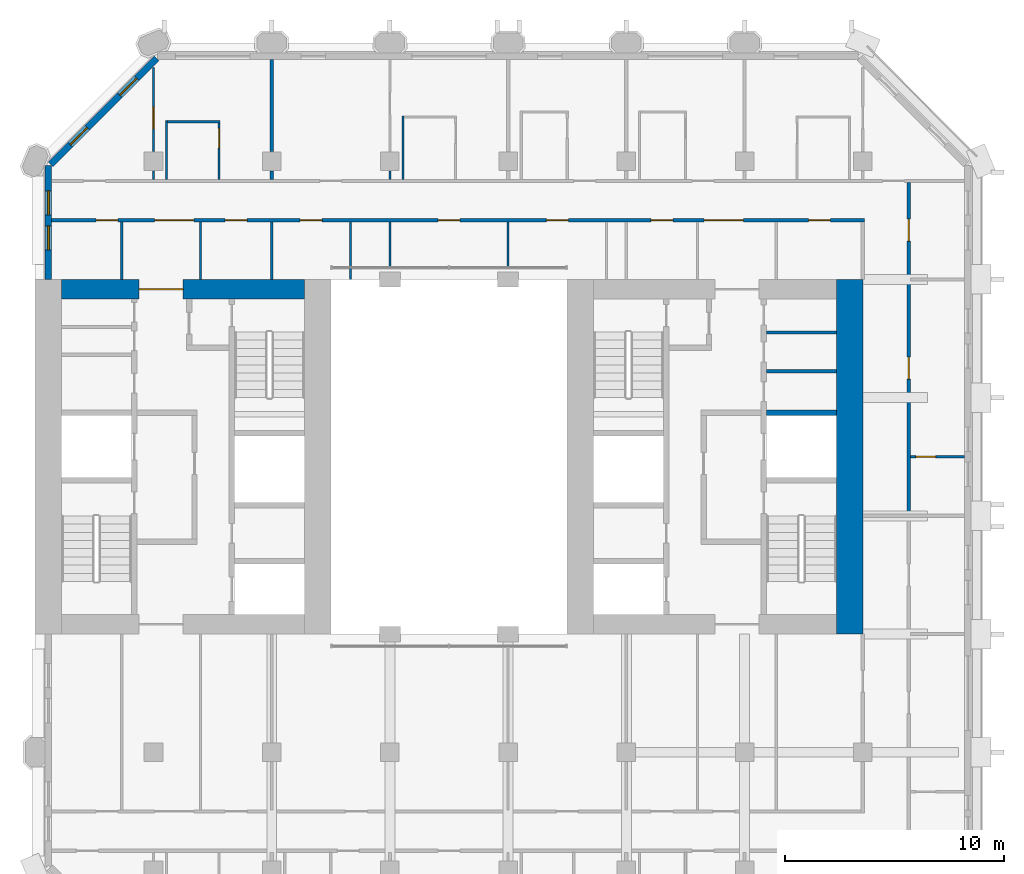
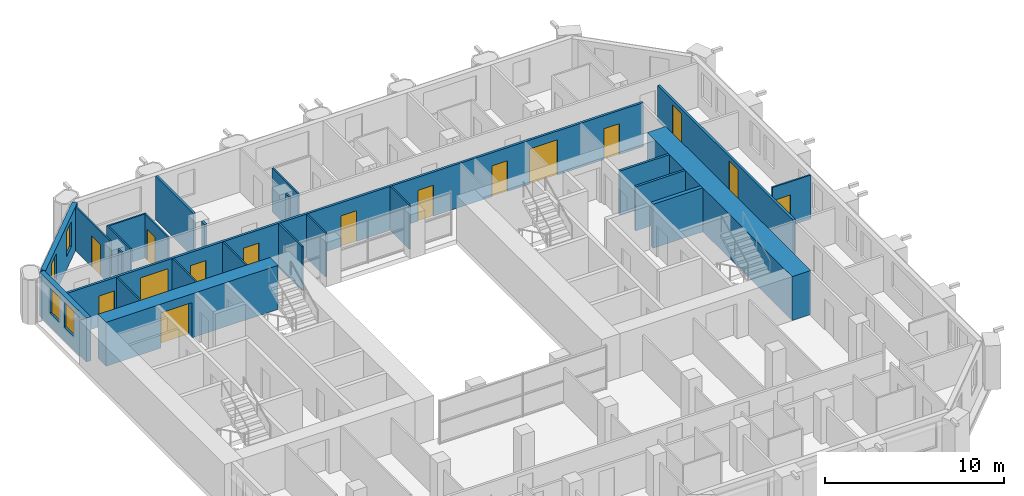
# One storey, part 9 of 13: 25 walls, 15 doors, 4 windows, 19 openings.
"""IFC4 building model written with IfcOpenShell, lengths in metres."""

from ifc_helpers import new_model, si_unit, direction, frame, frame_2d, origin, place, context, subcontext, project, spatial, rectangle, extrude, material, layer, layer_set, type_object, element, fill, save


model = new_model("IFC4")

# Units and contexts
model_context = context("Model", 3, precision=1e-05, world=origin(), true_north=direction((0.0, 1.0)))
body_context = subcontext(model_context, "Body", "Model", "MODEL_VIEW")
ifc_project = project(units=[si_unit("LENGTHUNIT", "METRE"), si_unit("AREAUNIT", "SQUARE_METRE"), si_unit("VOLUMEUNIT", "CUBIC_METRE"), si_unit("PLANEANGLEUNIT", "RADIAN"), si_unit("MASSUNIT", "GRAM", prefix="KILO")], contexts=[model_context])

# Site, building, storey
site_placement = place(None, origin())
site = spatial("IfcSite", under=ifc_project, at=site_placement, CompositionType="ELEMENT")
building_placement = place(site_placement, origin())
building = spatial("IfcBuilding", under=site, at=building_placement, Name="Tabaq Tower and Sports Hall", CompositionType="ELEMENT")
storey_placement = place(building_placement, frame((0.0, 0.0, 162.699951171875)))
storey = spatial("IfcBuildingStorey", under=building, at=storey_placement, Name="L38", CompositionType="ELEMENT", Elevation=162.699951171875)

# Walls
ifc_material_1 = material(Name="Blockwork", Category="masonry")
ifc_layer_1 = layer(ifc_material_1, 0.14990234375)
ifc_layer_set_1 = layer_set([ifc_layer_1], Name="Core room partition 150 Blockwork")
wall_type_1 = type_object("IfcWallType", Name="Core room partition 150 Blockwork", PredefinedType="PARTITIONING", material=ifc_layer_set_1)
for number, where, z_axis, x_axis, name in (
    (1, (38.800048828125, 28.200927734375, 0.0), (0.0, 0.0, 1.0), (1.0, 0.0, 0.0), "Core room partition E L38"),
    (2, (38.800048828125, 29.97705078125, 0.0), (0.0, 0.0, 1.0), (1.0, 0.0, 0.0), "Core room partition E L38"),
):
    element("IfcWall", number, at=place(storey_placement, frame(where, z_axis=z_axis, x_axis=x_axis)), inside=storey, type_object=wall_type_1, Name=name, PredefinedType="PARTITIONING", context=body_context, shape_type="SweptSolid", body=[
        extrude(rectangle(XDim=3.199951171875, YDim=0.14990234375, at=frame_2d((1.60009765625, 0.0))), origin(), (0.0, 0.0, 1.0), 3.0),
    ])
ifc_material_2 = material(Name="Concrete C50/60", Category="concrete")
ifc_layer_2 = layer(ifc_material_2, 1.199951171875)
ifc_layer_set_2 = layer_set([ifc_layer_2], Name="Core wall 1200 Concrete C50/60")
wall_type_2 = type_object("IfcWallType", Name="Core wall 1200 Concrete C50/60", PredefinedType="SOLIDWALL", material=ifc_layer_set_2)
wall_1_placement = place(storey_placement, frame((42.60009765625, 32.39990234375, 0.0), z_axis=(0.0, 0.0, 1.0), x_axis=(0.0, -1.0, 0.0)))
element("IfcWall", 3, at=wall_1_placement, inside=storey, type_object=wall_type_2, Name="Core wall E L38", PredefinedType="SOLIDWALL", context=body_context, shape_type="SweptSolid", body=[
    extrude(rectangle(XDim=16.199951171875, YDim=1.199951171875, at=frame_2d((8.10009765625, 0.0))), origin(), (0.0, 0.0, 1.0), 3.0),
])

# Wall, opening, door
ifc_material_3 = material(Name="Concrete C50/60", Category="concrete")
ifc_layer_3 = layer(ifc_material_3, 0.89990234375)
ifc_layer_set_3 = layer_set([ifc_layer_3], Name="Core wall 900 Concrete C50/60")
wall_type_3 = type_object("IfcWallType", Name="Core wall 900 Concrete C50/60", PredefinedType="SOLIDWALL", material=ifc_layer_set_3)
wall_2_placement = place(storey_placement, frame((6.60009765625, 31.949951171875, 0.0), z_axis=(0.0, 0.0, 1.0), x_axis=(1.0, 0.0, 0.0)))
wall_2 = element("IfcWall", 4, at=wall_2_placement, inside=storey, type_object=wall_type_3, Name="Core wall W L38", PredefinedType="SOLIDWALL", context=body_context, shape_type="SweptSolid", body=[
    extrude(rectangle(XDim=11.099853515625, YDim=0.89990234375, at=frame_2d((5.5498046875, 0.0))), origin(), (0.0, 0.0, 1.0), 3.0),
])
opening_1_placement = place(wall_2_placement, frame((3.550048828125, 0.0, 0.0)))
opening_1 = element("IfcOpeningElement", 5, at=opening_1_placement, cuts=wall_2, Name="Opening PD-WL38-02", PredefinedType="OPENING", context=body_context, shape_type="SweptSolid", body=[
    extrude(rectangle(XDim=2.0, YDim=2.39990234375, at=frame_2d((1.0, 1.199951171875))), frame((0.0, 0.449951171875, 0.0), z_axis=(0.0, -1.0, 0.0), x_axis=(1.0, 0.0, 0.0)), (0.0, 0.0, 1.0), 0.89990234375),
])
ifc_material_4 = material(Name="Steel fire door", Category="steel")
door_type_1 = type_object("IfcDoorType", Name="Core entrance door 2000", OperationType="DOUBLE_DOOR_SINGLE_SWING", PredefinedType="DOOR", material=ifc_material_4)
door_1_placement = place(opening_1_placement, origin())
door_1 = element("IfcDoor", 6, at=door_1_placement, inside=storey, type_object=door_type_1, Name="Core entrance north W L38", OperationType="DOUBLE_DOOR_SINGLE_SWING", OverallHeight=2.39990234375, OverallWidth=2.0, PredefinedType="DOOR", context=body_context, shape_type="SweptSolid", body=[
    extrude(rectangle(XDim=2.0, YDim=2.39990234375, at=frame_2d((1.0, 1.199951171875))), frame((0.0, 0.02490234375, 0.0), z_axis=(0.0, -1.0, 0.0), x_axis=(1.0, 0.0, 0.0)), (0.0, 0.0, 1.0), 0.050048828125),
])
fill(opening_1, door_1)

ifc_material_5 = material(Name="Gypsum board on steel studs", Category="steel")
ifc_layer_4 = layer(ifc_material_5, 0.10009765625)
ifc_layer_set_4 = layer_set([ifc_layer_4], Name="Partition 100 Gypsum board")
wall_type_4 = type_object("IfcWallType", Name="Partition 100 Gypsum board", PredefinedType="PARTITIONING", material=ifc_layer_set_4)
wall_3_placement = place(storey_placement, frame((10.800048828125, 42.087890625, 0.0), z_axis=(0.0, 0.0, 1.0), x_axis=(0.0, -1.0, 0.0)))
wall_3 = element("IfcWall", 7, at=wall_3_placement, inside=storey, type_object=wall_type_4, Name="Partition wall L38", PredefinedType="PARTITIONING", context=body_context, shape_type="SweptSolid", body=[
    extrude(rectangle(XDim=3.8427734375, YDim=0.10009765625, at=frame_2d((1.92138671875, 0.0))), origin(), (0.0, 0.0, 1.0), 3.0),
])
opening_2_placement = place(wall_3_placement, frame((1.80029296875, 0.0, 0.0)))
opening_2 = element("IfcOpeningElement", 8, at=opening_2_placement, cuts=wall_3, Name="Opening L38-028", PredefinedType="OPENING", context=body_context, shape_type="SweptSolid", body=[
    extrude(rectangle(XDim=1.0, YDim=2.10009765625, at=frame_2d((0.5, 1.050048828125))), frame((0.0, 0.050048828125, 0.0), z_axis=(0.0, -1.0, 0.0), x_axis=(1.0, 0.0, 0.0)), (0.0, 0.0, 1.0), 0.10009765625),
])
ifc_material_6 = material(Name="Timber leaf in steel frame", Category="steel")
door_type_2 = type_object("IfcDoorType", Name="Internal door 1000 left hand", OperationType="SINGLE_SWING_LEFT", PredefinedType="DOOR", material=ifc_material_6)
door_2_placement = place(opening_2_placement, origin())
door_2 = element("IfcDoor", 9, at=door_2_placement, inside=storey, type_object=door_type_2, Name="Internal door L38-028", OperationType="SINGLE_SWING_LEFT", OverallHeight=2.10009765625, OverallWidth=1.0, PredefinedType="DOOR", context=body_context, shape_type="SweptSolid", body=[
    extrude(rectangle(XDim=1.0, YDim=2.10009765625, at=frame_2d((0.5, 1.050048828125))), frame((0.0, 0.02490234375, 0.0), z_axis=(0.0, -1.0, 0.0), x_axis=(1.0, 0.0, 0.0)), (0.0, 0.0, 1.0), 0.050048828125),
])
fill(opening_2, door_2)

# Walls
wall_4_placement = place(storey_placement, frame((10.800048828125, 37.35498046875, 0.0), z_axis=(0.0, 0.0, 1.0), x_axis=(0.0, -1.0, 0.0)))
element("IfcWall", 10, at=wall_4_placement, inside=storey, type_object=wall_type_4, Name="Partition wall L38", PredefinedType="PARTITIONING", context=body_context, shape_type="SweptSolid", body=[
    extrude(rectangle(XDim=0.3798828125, YDim=0.10009765625, at=frame_2d((0.18994140625, 0.0))), origin(), (0.0, 0.0, 1.0), 3.0),
])
wall_5_placement = place(storey_placement, frame((11.39990234375, 36.97509765625, 0.0), z_axis=(0.0, 0.0, 1.0), x_axis=(0.0, 1.0, 0.0)))
element("IfcWall", 11, at=wall_5_placement, inside=storey, type_object=wall_type_4, Name="Partition wall L38", PredefinedType="PARTITIONING", context=body_context, shape_type="SweptSolid", body=[
    extrude(rectangle(XDim=2.6748046875, YDim=0.10009765625, at=frame_2d((1.33740234375, 0.0))), origin(), (0.0, 0.0, 1.0), 3.0),
])
wall_6_placement = place(storey_placement, frame((11.449951171875, 39.60009765625, 0.0), z_axis=(0.0, 0.0, 1.0), x_axis=(1.0, 0.0, 0.0)))
element("IfcWall", 12, at=wall_6_placement, inside=storey, type_object=wall_type_4, Name="Partition wall L38", PredefinedType="PARTITIONING", context=body_context, shape_type="SweptSolid", body=[
    extrude(rectangle(XDim=2.400146484375, YDim=0.10009765625, at=frame_2d((1.2001953125, 0.0))), origin(), (0.0, 0.0, 1.0), 3.0),
])

# Wall, opening, door
wall_7_placement = place(storey_placement, frame((13.800048828125, 39.550048828125, 0.0), z_axis=(0.0, 0.0, 1.0), x_axis=(0.0, -1.0, 0.0)))
wall_7 = element("IfcWall", 13, at=wall_7_placement, inside=storey, type_object=wall_type_4, Name="Partition wall L38", PredefinedType="PARTITIONING", context=body_context, shape_type="SweptSolid", body=[
    extrude(rectangle(XDim=2.574951171875, YDim=0.10009765625, at=frame_2d((1.28759765625, 0.0))), origin(), (0.0, 0.0, 1.0), 3.0),
])
opening_3_placement = place(wall_7_placement, frame((0.25, 0.0, 0.0)))
opening_3 = element("IfcOpeningElement", 14, at=opening_3_placement, cuts=wall_7, Name="Opening L38-002", PredefinedType="OPENING", context=body_context, shape_type="SweptSolid", body=[
    extrude(rectangle(XDim=0.89990234375, YDim=2.10009765625, at=frame_2d((0.449951171875, 1.050048828125))), frame((0.0, 0.050048828125, 0.0), z_axis=(0.0, -1.0, 0.0), x_axis=(1.0, 0.0, 0.0)), (0.0, 0.0, 1.0), 0.10009765625),
])
ifc_material_7 = material(Name="Timber leaf in steel frame", Category="steel")
door_type_3 = type_object("IfcDoorType", Name="Internal door 900 left hand", OperationType="SINGLE_SWING_LEFT", PredefinedType="DOOR", material=ifc_material_7)
door_3_placement = place(opening_3_placement, origin())
door_3 = element("IfcDoor", 15, at=door_3_placement, inside=storey, type_object=door_type_3, Name="Internal door L38-002", OperationType="SINGLE_SWING_LEFT", OverallHeight=2.10009765625, OverallWidth=0.89990234375, PredefinedType="DOOR", context=body_context, shape_type="SweptSolid", body=[
    extrude(rectangle(XDim=0.89990234375, YDim=2.10009765625, at=frame_2d((0.449951171875, 1.050048828125))), frame((0.0, 0.02490234375, 0.0), z_axis=(0.0, -1.0, 0.0), x_axis=(1.0, 0.0, 0.0)), (0.0, 0.0, 1.0), 0.050048828125),
])
fill(opening_3, door_3)

# Walls
wall_8_placement = place(storey_placement, frame((21.60009765625, 37.35498046875, 0.0), z_axis=(0.0, 0.0, 1.0), x_axis=(0.0, -1.0, 0.0)))
element("IfcWall", 16, at=wall_8_placement, inside=storey, type_object=wall_type_4, Name="Partition wall L38", PredefinedType="PARTITIONING", context=body_context, shape_type="SweptSolid", body=[
    extrude(rectangle(XDim=0.3798828125, YDim=0.10009765625, at=frame_2d((0.18994140625, 0.0))), origin(), (0.0, 0.0, 1.0), 3.0),
])
wall_9_placement = place(storey_placement, frame((22.199951171875, 36.97509765625, 0.0), z_axis=(0.0, 0.0, 1.0), x_axis=(0.0, 1.0, 0.0)))
element("IfcWall", 17, at=wall_9_placement, inside=storey, type_object=wall_type_4, Name="Partition wall L38", PredefinedType="PARTITIONING", context=body_context, shape_type="SweptSolid", body=[
    extrude(rectangle(XDim=2.89990234375, YDim=0.10009765625, at=frame_2d((1.449951171875, 0.0))), origin(), (0.0, 0.0, 1.0), 3.0),
])
for number, where, z_axis, x_axis, name in (
    (18, (16.199951171875, 35.02490234375, 0.0), (0.0, 0.0, 1.0), (0.0, -1.0, 0.0), "Partition wall L38"),
    (19, (19.800048828125, 32.39990234375, 0.0), (0.0, 0.0, 1.0), (0.0, 1.0, 0.0), "Partition wall L38"),
):
    element("IfcWall", number, at=place(storey_placement, frame(where, z_axis=z_axis, x_axis=x_axis)), inside=storey, type_object=wall_type_4, Name=name, PredefinedType="PARTITIONING", context=body_context, shape_type="SweptSolid", body=[
        extrude(rectangle(XDim=2.625, YDim=0.10009765625, at=frame_2d((1.3125, 0.0))), origin(), (0.0, 0.0, 1.0), 3.0),
    ])
for number, where, z_axis, x_axis, name in (
    (20, (21.60009765625, 35.02490234375, 0.0), (0.0, 0.0, 1.0), (0.0, -1.0, 0.0), "Partition wall L38"),
    (21, (27.0, 32.89501953125, 0.0), (0.0, 0.0, 1.0), (0.0, 1.0, 0.0), "Partition wall L38"),
):
    element("IfcWall", number, at=place(storey_placement, frame(where, z_axis=z_axis, x_axis=x_axis)), inside=storey, type_object=wall_type_4, Name=name, PredefinedType="PARTITIONING", context=body_context, shape_type="SweptSolid", body=[
        extrude(rectangle(XDim=2.1298828125, YDim=0.10009765625, at=frame_2d((1.06494140625, 0.0))), origin(), (0.0, 0.0, 1.0), 3.0),
    ])

# Wall, opening, door
wall_10_placement = place(storey_placement, frame((45.375, 24.300048828125, 0.0), z_axis=(0.0, 0.0, 1.0), x_axis=(1.0, 0.0, 0.0)))
wall_10 = element("IfcWall", 22, at=wall_10_placement, inside=storey, type_object=wall_type_4, Name="Partition wall L38", PredefinedType="PARTITIONING", context=body_context, shape_type="SweptSolid", body=[
    extrude(rectangle(XDim=2.47412109375, YDim=0.10009765625, at=frame_2d((1.237060546875, 0.0))), origin(), (0.0, 0.0, 1.0), 3.0),
])
opening_4_placement = place(wall_10_placement, frame((0.25, 0.0, 0.0)))
opening_4 = element("IfcOpeningElement", 23, at=opening_4_placement, cuts=wall_10, Name="Opening L38-010", PredefinedType="OPENING", context=body_context, shape_type="SweptSolid", body=[
    extrude(rectangle(XDim=0.89990234375, YDim=2.10009765625, at=frame_2d((0.449951171875, 1.050048828125))), frame((0.0, 0.050048828125, 0.0), z_axis=(0.0, -1.0, 0.0), x_axis=(1.0, 0.0, 0.0)), (0.0, 0.0, 1.0), 0.10009765625),
])
door_4_placement = place(opening_4_placement, origin())
door_4 = element("IfcDoor", 24, at=door_4_placement, inside=storey, type_object=door_type_3, Name="Internal door L38-010", OperationType="SINGLE_SWING_LEFT", OverallHeight=2.10009765625, OverallWidth=0.89990234375, PredefinedType="DOOR", context=body_context, shape_type="SweptSolid", body=[
    extrude(rectangle(XDim=0.89990234375, YDim=2.10009765625, at=frame_2d((0.449951171875, 1.050048828125))), frame((0.0, 0.02490234375, 0.0), z_axis=(0.0, -1.0, 0.0), x_axis=(1.0, 0.0, 0.0)), (0.0, 0.0, 1.0), 0.050048828125),
])
fill(opening_4, door_4)

# Walls
for number, where, z_axis, x_axis, name in (
    (25, (9.35009765625, 35.02490234375, 0.0), (0.0, 0.0, 1.0), (0.0, -1.0, 0.0), "Partition wall L38"),
    (26, (12.949951171875, 32.39990234375, 0.0), (0.0, 0.0, 1.0), (0.0, 1.0, 0.0), "Partition wall L38"),
):
    element("IfcWall", number, at=place(storey_placement, frame(where, z_axis=z_axis, x_axis=x_axis)), inside=storey, type_object=wall_type_4, Name=name, PredefinedType="PARTITIONING", context=body_context, shape_type="SweptSolid", body=[
        extrude(rectangle(XDim=2.625, YDim=0.10009765625, at=frame_2d((1.3125, 0.0))), origin(), (0.0, 0.0, 1.0), 3.0),
    ])
ifc_material_8 = material(Name="Blockwork", Category="masonry")
ifc_layer_5 = layer(ifc_material_8, 0.14990234375)
ifc_layer_set_5 = layer_set([ifc_layer_5], Name="Separating wall 150 Blockwork")
wall_type_5 = type_object("IfcWallType", Name="Separating wall 150 Blockwork", PredefinedType="PARTITIONING", material=ifc_layer_set_5)
wall_11_placement = place(storey_placement, frame((16.199951171875, 36.97509765625, 0.0), z_axis=(0.0, 0.0, 1.0), x_axis=(0.0, 1.0, 0.0)))
element("IfcWall", 27, at=wall_11_placement, inside=storey, type_object=wall_type_5, Name="Separating wall L38", PredefinedType="PARTITIONING", context=body_context, shape_type="SweptSolid", body=[
    extrude(rectangle(XDim=0.3798828125, YDim=0.14990234375, at=frame_2d((0.18994140625, 0.0))), origin(), (0.0, 0.0, 1.0), 3.0),
])
wall_12_placement = place(storey_placement, frame((16.199951171875, 38.2451171875, 0.0), z_axis=(0.0, 0.0, 1.0), x_axis=(0.0, 1.0, 0.0)))
element("IfcWall", 28, at=wall_12_placement, inside=storey, type_object=wall_type_5, Name="Separating wall L38", PredefinedType="PARTITIONING", context=body_context, shape_type="SweptSolid", body=[
    extrude(rectangle(XDim=4.203857421875, YDim=0.14990234375, at=frame_2d((2.10205078125, 0.0))), origin(), (0.0, 0.0, 1.0), 3.0),
])

# Wall, openings, doors
wall_13_placement = place(storey_placement, frame((45.300048828125, 36.824951171875, 0.0), z_axis=(0.0, 0.0, 1.0), x_axis=(0.0, -1.0, 0.0)))
wall_13 = element("IfcWall", 29, at=wall_13_placement, inside=storey, type_object=wall_type_5, Name="Separating wall L38", PredefinedType="PARTITIONING", context=body_context, shape_type="SweptSolid", body=[
    extrude(rectangle(XDim=15.14990234375, YDim=0.14990234375, at=frame_2d((7.574951171875, 0.0))), origin(), (0.0, 0.0, 1.0), 2.400146484375),
])
opening_5_placement = place(wall_13_placement, frame((1.675048828125, 0.0, 0.0)))
opening_5 = element("IfcOpeningElement", 30, at=opening_5_placement, cuts=wall_13, Name="Opening L38-001", PredefinedType="OPENING", context=body_context, shape_type="SweptSolid", body=[
    extrude(rectangle(XDim=1.0, YDim=2.10009765625, at=frame_2d((0.5, 1.050048828125))), frame((0.0, 0.074951171875, 0.0), z_axis=(0.0, -1.0, 0.0), x_axis=(1.0, 0.0, 0.0)), (0.0, 0.0, 1.0), 0.14990234375),
])
opening_6_placement = place(wall_13_placement, frame((7.97509765625, 0.0, 0.0)))
opening_6 = element("IfcOpeningElement", 31, at=opening_6_placement, cuts=wall_13, Name="Opening L38-036", PredefinedType="OPENING", context=body_context, shape_type="SweptSolid", body=[
    extrude(rectangle(XDim=1.0, YDim=2.10009765625, at=frame_2d((0.5, 1.050048828125))), frame((0.0, 0.074951171875, 0.0), z_axis=(0.0, -1.0, 0.0), x_axis=(1.0, 0.0, 0.0)), (0.0, 0.0, 1.0), 0.14990234375),
])
ifc_material_9 = material(Name="Steel fire door", Category="steel")
door_type_4 = type_object("IfcDoorType", Name="Entrance door 1000 left hand", OperationType="SINGLE_SWING_LEFT", PredefinedType="DOOR", material=ifc_material_9)
door_5_placement = place(opening_6_placement, origin())
door_5 = element("IfcDoor", 32, at=door_5_placement, inside=storey, type_object=door_type_4, Name="Entrance door L38-036", OperationType="SINGLE_SWING_LEFT", OverallHeight=2.10009765625, OverallWidth=1.0, PredefinedType="DOOR", context=body_context, shape_type="SweptSolid", body=[
    extrude(rectangle(XDim=1.0, YDim=2.10009765625, at=frame_2d((0.5, 1.050048828125))), frame((0.0, 0.02490234375, 0.0), z_axis=(0.0, -1.0, 0.0), x_axis=(1.0, 0.0, 0.0)), (0.0, 0.0, 1.0), 0.050048828125),
])
fill(opening_6, door_5)
door_6_placement = place(opening_5_placement, origin())
door_6 = element("IfcDoor", 33, at=door_6_placement, inside=storey, type_object=door_type_2, Name="Internal door L38-001", OperationType="SINGLE_SWING_LEFT", OverallHeight=2.10009765625, OverallWidth=1.0, PredefinedType="DOOR", context=body_context, shape_type="SweptSolid", body=[
    extrude(rectangle(XDim=1.0, YDim=2.10009765625, at=frame_2d((0.5, 1.050048828125))), frame((0.0, 0.02490234375, 0.0), z_axis=(0.0, -1.0, 0.0), x_axis=(1.0, 0.0, 0.0)), (0.0, 0.0, 1.0), 0.050048828125),
])
fill(opening_5, door_6)

wall_14_placement = place(storey_placement, frame((43.27490234375, 35.10009765625, 0.0), z_axis=(0.0, 0.0, 1.0), x_axis=(-1.0, 0.0, 0.0)))
wall_14 = element("IfcWall", 34, at=wall_14_placement, inside=storey, type_object=wall_type_5, Name="Separating wall L38", PredefinedType="PARTITIONING", context=body_context, shape_type="SweptSolid", body=[
    extrude(rectangle(XDim=37.1240234375, YDim=0.14990234375, at=frame_2d((18.56201171875, 0.0))), origin(), (0.0, 0.0, 1.0), 3.0),
])
opening_7_placement = place(wall_14_placement, frame((24.77490234375, 0.0, 0.0)))
opening_7 = element("IfcOpeningElement", 35, at=opening_7_placement, cuts=wall_14, Name="Opening L38-007", PredefinedType="OPENING", context=body_context, shape_type="SweptSolid", body=[
    extrude(rectangle(XDim=1.0, YDim=2.10009765625, at=frame_2d((0.5, 1.050048828125))), frame((0.0, 0.074951171875, 0.0), z_axis=(0.0, -1.0, 0.0), x_axis=(1.0, 0.0, 0.0)), (0.0, 0.0, 1.0), 0.14990234375),
])
opening_8_placement = place(wall_14_placement, frame((18.47509765625, 0.0, 0.0)))
opening_8 = element("IfcOpeningElement", 36, at=opening_8_placement, cuts=wall_14, Name="Opening L38-008", PredefinedType="OPENING", context=body_context, shape_type="SweptSolid", body=[
    extrude(rectangle(XDim=1.0, YDim=2.10009765625, at=frame_2d((0.5, 1.050048828125))), frame((0.0, 0.074951171875, 0.0), z_axis=(0.0, -1.0, 0.0), x_axis=(1.0, 0.0, 0.0)), (0.0, 0.0, 1.0), 0.14990234375),
])
opening_9_placement = place(wall_14_placement, frame((13.52490234375, 0.0, 0.0)))
opening_9 = element("IfcOpeningElement", 37, at=opening_9_placement, cuts=wall_14, Name="Opening L38-009", PredefinedType="OPENING", context=body_context, shape_type="SweptSolid", body=[
    extrude(rectangle(XDim=1.0, YDim=2.10009765625, at=frame_2d((0.5, 1.050048828125))), frame((0.0, 0.074951171875, 0.0), z_axis=(0.0, -1.0, 0.0), x_axis=(1.0, 0.0, 0.0)), (0.0, 0.0, 1.0), 0.14990234375),
])
opening_10_placement = place(wall_14_placement, frame((34.094970703125, 0.0, 0.0)))
opening_10 = element("IfcOpeningElement", 38, at=opening_10_placement, cuts=wall_14, Name="Opening L38-011", PredefinedType="OPENING", context=body_context, shape_type="SweptSolid", body=[
    extrude(rectangle(XDim=1.0, YDim=2.10009765625, at=frame_2d((0.5, 1.050048828125))), frame((0.0, 0.074951171875, 0.0), z_axis=(0.0, -1.0, 0.0), x_axis=(1.0, 0.0, 0.0)), (0.0, 0.0, 1.0), 0.14990234375),
])
opening_11_placement = place(wall_14_placement, frame((8.75, 0.0, 0.0)))
opening_11 = element("IfcOpeningElement", 39, at=opening_11_placement, cuts=wall_14, Name="Opening L38-012", PredefinedType="OPENING", context=body_context, shape_type="SweptSolid", body=[
    extrude(rectangle(XDim=1.0, YDim=2.10009765625, at=frame_2d((0.5, 1.050048828125))), frame((0.0, 0.074951171875, 0.0), z_axis=(0.0, -1.0, 0.0), x_axis=(1.0, 0.0, 0.0)), (0.0, 0.0, 1.0), 0.14990234375),
])
opening_12_placement = place(wall_14_placement, frame((1.550048828125, 0.0, 0.0)))
opening_12 = element("IfcOpeningElement", 40, at=opening_12_placement, cuts=wall_14, Name="Opening L38-013", PredefinedType="OPENING", context=body_context, shape_type="SweptSolid", body=[
    extrude(rectangle(XDim=1.0, YDim=2.10009765625, at=frame_2d((0.5, 1.050048828125))), frame((0.0, 0.074951171875, 0.0), z_axis=(0.0, -1.0, 0.0), x_axis=(1.0, 0.0, 0.0)), (0.0, 0.0, 1.0), 0.14990234375),
])
opening_13_placement = place(wall_14_placement, frame((28.199951171875, 0.0, 0.0)))
opening_13 = element("IfcOpeningElement", 41, at=opening_13_placement, cuts=wall_14, Name="Opening L38-014", PredefinedType="OPENING", context=body_context, shape_type="SweptSolid", body=[
    extrude(rectangle(XDim=1.0, YDim=2.10009765625, at=frame_2d((0.5, 1.050048828125))), frame((0.0, 0.074951171875, 0.0), z_axis=(0.0, -1.0, 0.0), x_axis=(1.0, 0.0, 0.0)), (0.0, 0.0, 1.0), 0.14990234375),
])
opening_14_placement = place(wall_14_placement, frame((30.625, 0.0, 0.0)))
opening_14 = element("IfcOpeningElement", 42, at=opening_14_placement, cuts=wall_14, Name="Opening L38-037", PredefinedType="OPENING", context=body_context, shape_type="SweptSolid", body=[
    extrude(rectangle(XDim=1.800048828125, YDim=2.39990234375, at=frame_2d((0.89990234375, 1.199951171875))), frame((0.0, 0.074951171875, 0.0), z_axis=(0.0, -1.0, 0.0), x_axis=(1.0, 0.0, 0.0)), (0.0, 0.0, 1.0), 0.14990234375),
])
opening_15_placement = place(wall_14_placement, frame((5.52490234375, 0.0, 0.0)))
opening_15 = element("IfcOpeningElement", 43, at=opening_15_placement, cuts=wall_14, Name="Opening L38-038", PredefinedType="OPENING", context=body_context, shape_type="SweptSolid", body=[
    extrude(rectangle(XDim=1.800048828125, YDim=2.39990234375, at=frame_2d((0.89990234375, 1.199951171875))), frame((0.0, 0.074951171875, 0.0), z_axis=(0.0, -1.0, 0.0), x_axis=(1.0, 0.0, 0.0)), (0.0, 0.0, 1.0), 0.14990234375),
])
door_7_placement = place(opening_8_placement, origin())
door_7 = element("IfcDoor", 44, at=door_7_placement, inside=storey, type_object=door_type_2, Name="Internal door L38-008", OperationType="SINGLE_SWING_LEFT", OverallHeight=2.10009765625, OverallWidth=1.0, PredefinedType="DOOR", context=body_context, shape_type="SweptSolid", body=[
    extrude(rectangle(XDim=1.0, YDim=2.10009765625, at=frame_2d((0.5, 1.050048828125))), frame((0.0, 0.02490234375, 0.0), z_axis=(0.0, -1.0, 0.0), x_axis=(1.0, 0.0, 0.0)), (0.0, 0.0, 1.0), 0.050048828125),
])
fill(opening_8, door_7)
door_8_placement = place(opening_9_placement, origin())
door_8 = element("IfcDoor", 45, at=door_8_placement, inside=storey, type_object=door_type_2, Name="Internal door L38-009", OperationType="SINGLE_SWING_LEFT", OverallHeight=2.10009765625, OverallWidth=1.0, PredefinedType="DOOR", context=body_context, shape_type="SweptSolid", body=[
    extrude(rectangle(XDim=1.0, YDim=2.10009765625, at=frame_2d((0.5, 1.050048828125))), frame((0.0, 0.02490234375, 0.0), z_axis=(0.0, -1.0, 0.0), x_axis=(1.0, 0.0, 0.0)), (0.0, 0.0, 1.0), 0.050048828125),
])
fill(opening_9, door_8)
door_9_placement = place(opening_10_placement, origin())
door_9 = element("IfcDoor", 46, at=door_9_placement, inside=storey, type_object=door_type_2, Name="Internal door L38-011", OperationType="SINGLE_SWING_LEFT", OverallHeight=2.10009765625, OverallWidth=1.0, PredefinedType="DOOR", context=body_context, shape_type="SweptSolid", body=[
    extrude(rectangle(XDim=1.0, YDim=2.10009765625, at=frame_2d((0.5, 1.050048828125))), frame((0.0, 0.02490234375, 0.0), z_axis=(0.0, -1.0, 0.0), x_axis=(1.0, 0.0, 0.0)), (0.0, 0.0, 1.0), 0.050048828125),
])
fill(opening_10, door_9)
door_10_placement = place(opening_12_placement, origin())
door_10 = element("IfcDoor", 47, at=door_10_placement, inside=storey, type_object=door_type_2, Name="Internal door L38-013", OperationType="SINGLE_SWING_LEFT", OverallHeight=2.10009765625, OverallWidth=1.0, PredefinedType="DOOR", context=body_context, shape_type="SweptSolid", body=[
    extrude(rectangle(XDim=1.0, YDim=2.10009765625, at=frame_2d((0.5, 1.050048828125))), frame((0.0, 0.02490234375, 0.0), z_axis=(0.0, -1.0, 0.0), x_axis=(1.0, 0.0, 0.0)), (0.0, 0.0, 1.0), 0.050048828125),
])
fill(opening_12, door_10)
ifc_material_10 = material(Name="Timber leaf in steel frame", Category="steel")
door_type_5 = type_object("IfcDoorType", Name="Internal door 1000 right hand", OperationType="SINGLE_SWING_RIGHT", PredefinedType="DOOR", material=ifc_material_10)
door_11_placement = place(opening_7_placement, origin())
door_11 = element("IfcDoor", 48, at=door_11_placement, inside=storey, type_object=door_type_5, Name="Internal door L38-007", OperationType="SINGLE_SWING_RIGHT", OverallHeight=2.10009765625, OverallWidth=1.0, PredefinedType="DOOR", context=body_context, shape_type="SweptSolid", body=[
    extrude(rectangle(XDim=1.0, YDim=2.10009765625, at=frame_2d((0.5, 1.050048828125))), frame((0.0, 0.02490234375, 0.0), z_axis=(0.0, -1.0, 0.0), x_axis=(1.0, 0.0, 0.0)), (0.0, 0.0, 1.0), 0.050048828125),
])
fill(opening_7, door_11)
door_12_placement = place(opening_11_placement, origin())
door_12 = element("IfcDoor", 49, at=door_12_placement, inside=storey, type_object=door_type_5, Name="Internal door L38-012", OperationType="SINGLE_SWING_RIGHT", OverallHeight=2.10009765625, OverallWidth=1.0, PredefinedType="DOOR", context=body_context, shape_type="SweptSolid", body=[
    extrude(rectangle(XDim=1.0, YDim=2.10009765625, at=frame_2d((0.5, 1.050048828125))), frame((0.0, 0.02490234375, 0.0), z_axis=(0.0, -1.0, 0.0), x_axis=(1.0, 0.0, 0.0)), (0.0, 0.0, 1.0), 0.050048828125),
])
fill(opening_11, door_12)
door_13_placement = place(opening_13_placement, origin())
door_13 = element("IfcDoor", 50, at=door_13_placement, inside=storey, type_object=door_type_5, Name="Internal door L38-014", OperationType="SINGLE_SWING_RIGHT", OverallHeight=2.10009765625, OverallWidth=1.0, PredefinedType="DOOR", context=body_context, shape_type="SweptSolid", body=[
    extrude(rectangle(XDim=1.0, YDim=2.10009765625, at=frame_2d((0.5, 1.050048828125))), frame((0.0, 0.02490234375, 0.0), z_axis=(0.0, -1.0, 0.0), x_axis=(1.0, 0.0, 0.0)), (0.0, 0.0, 1.0), 0.050048828125),
])
fill(opening_13, door_13)
ifc_material_11 = material(Name="Timber leaf in steel frame", Category="steel")
door_type_6 = type_object("IfcDoorType", Name="Internal door 1800", OperationType="DOUBLE_DOOR_SINGLE_SWING", PredefinedType="DOOR", material=ifc_material_11)
door_14_placement = place(opening_14_placement, origin())
door_14 = element("IfcDoor", 51, at=door_14_placement, inside=storey, type_object=door_type_6, Name="Internal door L38-037", OperationType="DOUBLE_DOOR_SINGLE_SWING", OverallHeight=2.39990234375, OverallWidth=1.800048828125, PredefinedType="DOOR", context=body_context, shape_type="SweptSolid", body=[
    extrude(rectangle(XDim=1.800048828125, YDim=2.39990234375, at=frame_2d((0.89990234375, 1.199951171875))), frame((0.0, 0.02490234375, 0.0), z_axis=(0.0, -1.0, 0.0), x_axis=(1.0, 0.0, 0.0)), (0.0, 0.0, 1.0), 0.050048828125),
])
fill(opening_14, door_14)
door_15_placement = place(opening_15_placement, origin())
door_15 = element("IfcDoor", 52, at=door_15_placement, inside=storey, type_object=door_type_6, Name="Internal door L38-038", OperationType="DOUBLE_DOOR_SINGLE_SWING", OverallHeight=2.39990234375, OverallWidth=1.800048828125, PredefinedType="DOOR", context=body_context, shape_type="SweptSolid", body=[
    extrude(rectangle(XDim=1.800048828125, YDim=2.39990234375, at=frame_2d((0.89990234375, 1.199951171875))), frame((0.0, 0.02490234375, 0.0), z_axis=(0.0, -1.0, 0.0), x_axis=(1.0, 0.0, 0.0)), (0.0, 0.0, 1.0), 0.050048828125),
])
fill(opening_15, door_15)

# Wall
ifc_material_12 = material(Name="Concrete C40/50", Category="concrete")
ifc_layer_6 = layer(ifc_material_12, 0.25)
ifc_layer_set_6 = layer_set([ifc_layer_6], Name="Shaft and stair wall 250 Concrete C40/50")
wall_type_6 = type_object("IfcWallType", Name="Shaft and stair wall 250 Concrete C40/50", PredefinedType="SOLIDWALL", material=ifc_layer_set_6)
wall_15_placement = place(storey_placement, frame((38.800048828125, 26.300048828125, 0.0), z_axis=(0.0, 0.0, 1.0), x_axis=(1.0, 0.0, 0.0)))
element("IfcWall", 53, at=wall_15_placement, inside=storey, type_object=wall_type_6, Name="Shaft wall E L38", PredefinedType="SOLIDWALL", context=body_context, shape_type="SweptSolid", body=[
    extrude(rectangle(XDim=3.199951171875, YDim=0.25, at=frame_2d((1.60009765625, 0.0))), origin(), (0.0, 0.0, 1.0), 3.0),
])

# Wall, openings, windows
ifc_material_13 = material(Name="White precast concrete C60/75", Category="concrete")
ifc_layer_7 = layer(ifc_material_13, 0.300048828125)
ifc_layer_set_7 = layer_set([ifc_layer_7], Name="White precast concrete C60/75 external wall 300")
wall_type_7 = type_object("IfcWallType", Name="White precast concrete C60/75 external wall 300", PredefinedType="SOLIDWALL", material=ifc_layer_set_7)
wall_16_placement = place(storey_placement, frame((10.949462890625, 42.5009765625, 0.0), z_axis=(0.0, 0.0, 1.0), x_axis=(-0.707106781187, -0.707106781187, 0.0)))
wall_16 = element("IfcWall", 54, at=wall_16_placement, inside=storey, type_object=wall_type_7, Name="External Wall L38 NW", PredefinedType="SOLIDWALL", context=body_context, shape_type="SweptSolid", body=[
    extrude(rectangle(XDim=6.85986328125, YDim=0.300048828125, at=frame_2d((3.429931640625, 0.0))), origin(), (0.0, 0.0, 1.0), 3.0),
])
opening_16_placement = place(wall_16_placement, frame((1.27978515625, 0.0, 0.89990234375)))
opening_16 = element("IfcOpeningElement", 55, at=opening_16_placement, cuts=wall_16, Name="Opening W1B", PredefinedType="OPENING", context=body_context, shape_type="SweptSolid", body=[
    extrude(rectangle(XDim=1.10009765625, YDim=1.699951171875, at=frame_2d((0.550048828125, 0.85009765625))), frame((0.0, 0.16015625, 0.0), z_axis=(0.0, -1.0, 0.0), x_axis=(1.0, 0.0, 0.0)), (0.0, 0.0, 1.0), 0.320068359375),
])
opening_17_placement = place(wall_16_placement, frame((4.479736328125, 0.0, 0.89990234375)))
opening_17 = element("IfcOpeningElement", 56, at=opening_17_placement, cuts=wall_16, Name="Opening W1B", PredefinedType="OPENING", context=body_context, shape_type="SweptSolid", body=[
    extrude(rectangle(XDim=1.10009765625, YDim=1.699951171875, at=frame_2d((0.550048828125, 0.85009765625))), frame((0.0, 0.16015625, 0.0), z_axis=(0.0, -1.0, 0.0), x_axis=(1.0, 0.0, 0.0)), (0.0, 0.0, 1.0), 0.320068359375),
])
ifc_material_14 = material(Name="Aluminium framed clear glazing", Category="aluminium")
window_type = type_object("IfcWindowType", Name="Window W1B", PartitioningType="SINGLE_PANEL", PredefinedType="WINDOW", material=ifc_material_14)
window_1_placement = place(opening_16_placement, origin())
window_1 = element("IfcWindow", 57, at=window_1_placement, inside=storey, type_object=window_type, Name="Window W1B L38", OverallHeight=1.699951171875, OverallWidth=1.10009765625, PartitioningType="SINGLE_PANEL", PredefinedType="WINDOW", context=body_context, shape_type="SweptSolid", body=[
    extrude(rectangle(XDim=1.10009765625, YDim=1.699951171875, at=frame_2d((0.550048828125, 0.85009765625))), frame((0.0, 0.030029296875, 0.0), z_axis=(0.0, -1.0, 0.0), x_axis=(1.0, 0.0, 0.0)), (0.0, 0.0, 1.0), 0.06005859375),
])
fill(opening_16, window_1)
window_2_placement = place(opening_17_placement, origin())
window_2 = element("IfcWindow", 58, at=window_2_placement, inside=storey, type_object=window_type, Name="Window W1B L38", OverallHeight=1.699951171875, OverallWidth=1.10009765625, PartitioningType="SINGLE_PANEL", PredefinedType="WINDOW", context=body_context, shape_type="SweptSolid", body=[
    extrude(rectangle(XDim=1.10009765625, YDim=1.699951171875, at=frame_2d((0.550048828125, 0.85009765625))), frame((0.0, 0.030029296875, 0.0), z_axis=(0.0, -1.0, 0.0), x_axis=(1.0, 0.0, 0.0)), (0.0, 0.0, 1.0), 0.06005859375),
])
fill(opening_17, window_2)

wall_17_placement = place(storey_placement, frame((6.0, 37.613525390625, 0.0), z_axis=(0.0, 0.0, 1.0), x_axis=(0.0, -1.0, 0.0)))
wall_17 = element("IfcWall", 59, at=wall_17_placement, inside=storey, type_object=wall_type_7, Name="External Wall L38 W", PredefinedType="SOLIDWALL", context=body_context, shape_type="SweptSolid", body=[
    extrude(rectangle(XDim=5.213623046875, YDim=0.300048828125, at=frame_2d((2.60693359375, 0.0))), origin(), (0.0, 0.0, 1.0), 3.0),
])
opening_18_placement = place(wall_17_placement, frame((1.16357421875, 0.0, 0.89990234375)))
opening_18 = element("IfcOpeningElement", 60, at=opening_18_placement, cuts=wall_17, Name="Opening W1B", PredefinedType="OPENING", context=body_context, shape_type="SweptSolid", body=[
    extrude(rectangle(XDim=1.10009765625, YDim=1.699951171875, at=frame_2d((0.550048828125, 0.85009765625))), frame((0.0, 0.16015625, 0.0), z_axis=(0.0, -1.0, 0.0), x_axis=(1.0, 0.0, 0.0)), (0.0, 0.0, 1.0), 0.320068359375),
])
opening_19_placement = place(wall_17_placement, frame((2.763671875, 0.0, 0.89990234375)))
opening_19 = element("IfcOpeningElement", 61, at=opening_19_placement, cuts=wall_17, Name="Opening W1B", PredefinedType="OPENING", context=body_context, shape_type="SweptSolid", body=[
    extrude(rectangle(XDim=1.10009765625, YDim=1.699951171875, at=frame_2d((0.550048828125, 0.85009765625))), frame((0.0, 0.16015625, 0.0), z_axis=(0.0, -1.0, 0.0), x_axis=(1.0, 0.0, 0.0)), (0.0, 0.0, 1.0), 0.320068359375),
])
window_3_placement = place(opening_18_placement, origin())
window_3 = element("IfcWindow", 62, at=window_3_placement, inside=storey, type_object=window_type, Name="Window W1B L38", OverallHeight=1.699951171875, OverallWidth=1.10009765625, PartitioningType="SINGLE_PANEL", PredefinedType="WINDOW", context=body_context, shape_type="SweptSolid", body=[
    extrude(rectangle(XDim=1.10009765625, YDim=1.699951171875, at=frame_2d((0.550048828125, 0.85009765625))), frame((0.0, 0.030029296875, 0.0), z_axis=(0.0, -1.0, 0.0), x_axis=(1.0, 0.0, 0.0)), (0.0, 0.0, 1.0), 0.06005859375),
])
fill(opening_18, window_3)
window_4_placement = place(opening_19_placement, origin())
window_4 = element("IfcWindow", 63, at=window_4_placement, inside=storey, type_object=window_type, Name="Window W1B L38", OverallHeight=1.699951171875, OverallWidth=1.10009765625, PartitioningType="SINGLE_PANEL", PredefinedType="WINDOW", context=body_context, shape_type="SweptSolid", body=[
    extrude(rectangle(XDim=1.10009765625, YDim=1.699951171875, at=frame_2d((0.550048828125, 0.85009765625))), frame((0.0, 0.030029296875, 0.0), z_axis=(0.0, -1.0, 0.0), x_axis=(1.0, 0.0, 0.0)), (0.0, 0.0, 1.0), 0.06005859375),
])
fill(opening_19, window_4)

save(model, "model.ifc")
